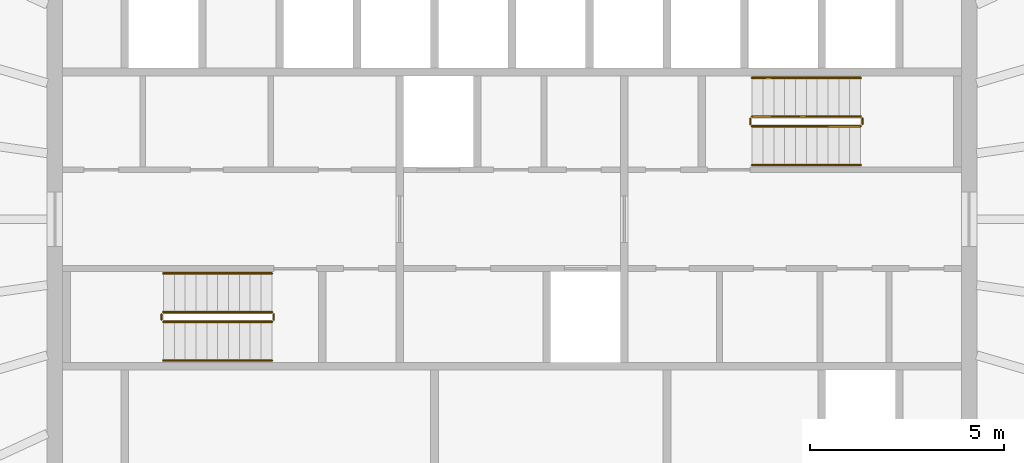
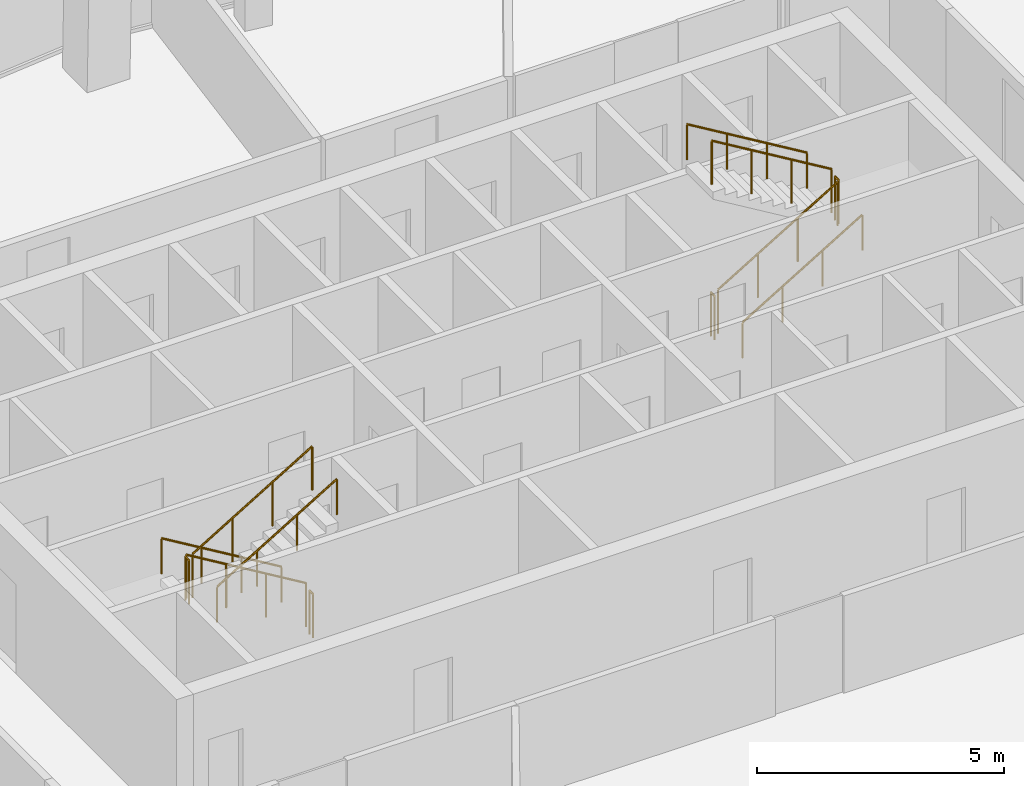
# One storey, part 11 of 11: 12 railings.
"""IFC4 building model written with IfcOpenShell, lengths in metres."""

from ifc_helpers import new_model, si_unit, direction, frame, origin, origin_2d, place, context, subcontext, project, spatial, circle, extrude, material, type_object, element, save


model = new_model("IFC4")

# Units and contexts
model_context = context("Model", 3, precision=1e-05, world=origin(), true_north=direction((0.0, 1.0)))
body_context = subcontext(model_context, "Body", "Model", "MODEL_VIEW")
ifc_project = project(units=[si_unit("LENGTHUNIT", "METRE"), si_unit("AREAUNIT", "SQUARE_METRE"), si_unit("VOLUMEUNIT", "CUBIC_METRE"), si_unit("PLANEANGLEUNIT", "RADIAN"), si_unit("MASSUNIT", "GRAM", prefix="KILO")], contexts=[model_context])

# Site, building, storey
site_placement = place(None, origin())
site = spatial("IfcSite", under=ifc_project, at=site_placement, CompositionType="ELEMENT")
building_placement = place(site_placement, origin())
building = spatial("IfcBuilding", under=site, at=building_placement, Name="Siaravel Broadcast Tower", CompositionType="ELEMENT")
storey_placement = place(building_placement, frame((0.0, 0.0, 220.800048828125)))
storey = spatial("IfcBuildingStorey", under=building, at=storey_placement, Name="L53", CompositionType="ELEMENT", Elevation=220.800048828125)

# Railings
ifc_material = material(Name="Stainless steel 316L", Category="steel")
railing_type_1 = type_object("IfcRailingType", Name="Stair guard 1100", PredefinedType="GUARDRAIL", material=ifc_material)
railing_1_placement = place(storey_placement, frame((-6.199951171875, -2.39990234375, 0.168212890625)))
element("IfcRailing", 1, at=railing_1_placement, inside=storey, type_object=railing_type_1, Name="L53 ST-1 stair guard 1", PredefinedType="GUARDRAIL", context=body_context, shape_type="SweptSolid", body=[
    extrude(circle(Radius=0.02392578125, at=origin_2d()), frame((0.0, 0.0, 1.076171875), z_axis=(-0.857275203, 0.0, 0.514858453), x_axis=(0.0, -1.0, 0.0)), (0.0, 0.0, 1.0), 3.26611328125),
    extrude(circle(Radius=0.02099609375, at=origin_2d()), origin(), (0.0, 0.0, 1.0), 1.052001953125),
    extrude(circle(Radius=0.02099609375, at=origin_2d()), frame((-0.933349609375, 0.0, 0.560546875)), (0.0, 0.0, 1.0), 1.052001953125),
    extrude(circle(Radius=0.02099609375, at=origin_2d()), frame((-1.86669921875, 0.0, 1.12109375)), (0.0, 0.0, 1.0), 1.052001953125),
    extrude(circle(Radius=0.02099609375, at=origin_2d()), frame((-2.800048828125, 0.0, 1.681640625)), (0.0, 0.0, 1.0), 1.052001953125),
])
railing_2_placement = place(storey_placement, frame((-9.050048828125, -2.449951171875, 1.849853515625)))
element("IfcRailing", 2, at=railing_2_placement, inside=storey, type_object=railing_type_1, Name="L53 ST-1 stair guard 2", PredefinedType="GUARDRAIL", context=body_context, shape_type="SweptSolid", body=[
    extrude(circle(Radius=0.02392578125, at=origin_2d()), frame((0.0, 0.0, 1.076171875), z_axis=(0.0, -1.0, 0.0), x_axis=(1.0, 0.0, 0.0)), (0.0, 0.0, 1.0), 0.150146484375),
    extrude(circle(Radius=0.02099609375, at=origin_2d()), origin(), (0.0, 0.0, 1.0), 1.052001953125),
    extrude(circle(Radius=0.02099609375, at=origin_2d()), frame((0.0, -0.150146484375, 0.0)), (0.0, 0.0, 1.0), 1.052001953125),
])
railing_3_placement = place(storey_placement, frame((-9.0, -2.64990234375, 2.01806640625)))
element("IfcRailing", 3, at=railing_3_placement, inside=storey, type_object=railing_type_1, Name="L53 ST-1 stair guard 3", PredefinedType="GUARDRAIL", context=body_context, shape_type="SweptSolid", body=[
    extrude(circle(Radius=0.02392578125, at=origin_2d()), frame((0.0, 0.0, 1.076171875), z_axis=(0.857242211, 0.0, 0.514913383), x_axis=(0.0, 1.0, 0.0)), (0.0, 0.0, 1.0), 3.266357421875),
    extrude(circle(Radius=0.02099609375, at=origin_2d()), origin(), (0.0, 0.0, 1.0), 1.052001953125),
    extrude(circle(Radius=0.02099609375, at=origin_2d()), frame((0.933349609375, 0.0, 0.560546875)), (0.0, 0.0, 1.0), 1.052001953125),
    extrude(circle(Radius=0.02099609375, at=origin_2d()), frame((1.86669921875, 0.0, 1.121337890625)), (0.0, 0.0, 1.0), 1.052001953125),
    extrude(circle(Radius=0.02099609375, at=origin_2d()), frame((2.800048828125, 0.0, 1.681884765625)), (0.0, 0.0, 1.0), 1.052001953125),
])
railing_4_placement = place(storey_placement, frame((-6.14990234375, -2.449951171875, 0.0)))
element("IfcRailing", 4, at=railing_4_placement, inside=storey, type_object=railing_type_1, Name="L53 ST-1 stair guard 4", PredefinedType="GUARDRAIL", context=body_context, shape_type="SweptSolid", body=[
    extrude(circle(Radius=0.02392578125, at=origin_2d()), frame((0.0, 0.0, 1.076171875), z_axis=(0.0, -1.0, 0.0), x_axis=(1.0, 0.0, 0.0)), (0.0, 0.0, 1.0), 0.150146484375),
    extrude(circle(Radius=0.02099609375, at=origin_2d()), origin(), (0.0, 0.0, 1.0), 1.052001953125),
    extrude(circle(Radius=0.02099609375, at=origin_2d()), frame((0.0, -0.150146484375, 0.0)), (0.0, 0.0, 1.0), 1.052001953125),
])
railing_5_placement = place(storey_placement, frame((6.199951171875, 2.39990234375, 0.168212890625)))
element("IfcRailing", 5, at=railing_5_placement, inside=storey, type_object=railing_type_1, Name="L53 ST-2 stair guard 1", PredefinedType="GUARDRAIL", context=body_context, shape_type="SweptSolid", body=[
    extrude(circle(Radius=0.02392578125, at=origin_2d()), frame((0.0, 0.0, 1.076171875), z_axis=(0.857275203, 0.0, 0.514858453), x_axis=(0.0, 1.0, 0.0)), (0.0, 0.0, 1.0), 3.26611328125),
    extrude(circle(Radius=0.02099609375, at=origin_2d()), origin(), (0.0, 0.0, 1.0), 1.052001953125),
    extrude(circle(Radius=0.02099609375, at=origin_2d()), frame((0.933349609375, 0.0, 0.560546875)), (0.0, 0.0, 1.0), 1.052001953125),
    extrude(circle(Radius=0.02099609375, at=origin_2d()), frame((1.86669921875, 0.0, 1.12109375)), (0.0, 0.0, 1.0), 1.052001953125),
    extrude(circle(Radius=0.02099609375, at=origin_2d()), frame((2.800048828125, 0.0, 1.681640625)), (0.0, 0.0, 1.0), 1.052001953125),
])
railing_6_placement = place(storey_placement, frame((9.050048828125, 2.449951171875, 1.849853515625)))
element("IfcRailing", 6, at=railing_6_placement, inside=storey, type_object=railing_type_1, Name="L53 ST-2 stair guard 2", PredefinedType="GUARDRAIL", context=body_context, shape_type="SweptSolid", body=[
    extrude(circle(Radius=0.02392578125, at=origin_2d()), frame((0.0, 0.0, 1.076171875), z_axis=(0.0, 1.0, 0.0), x_axis=(-1.0, 0.0, 0.0)), (0.0, 0.0, 1.0), 0.150146484375),
    extrude(circle(Radius=0.02099609375, at=origin_2d()), origin(), (0.0, 0.0, 1.0), 1.052001953125),
    extrude(circle(Radius=0.02099609375, at=origin_2d()), frame((0.0, 0.150146484375, 0.0)), (0.0, 0.0, 1.0), 1.052001953125),
])
railing_7_placement = place(storey_placement, frame((9.0, 2.64990234375, 2.01806640625)))
element("IfcRailing", 7, at=railing_7_placement, inside=storey, type_object=railing_type_1, Name="L53 ST-2 stair guard 3", PredefinedType="GUARDRAIL", context=body_context, shape_type="SweptSolid", body=[
    extrude(circle(Radius=0.02392578125, at=origin_2d()), frame((0.0, 0.0, 1.076171875), z_axis=(-0.857242211, 0.0, 0.514913383), x_axis=(0.0, -1.0, 0.0)), (0.0, 0.0, 1.0), 3.266357421875),
    extrude(circle(Radius=0.02099609375, at=origin_2d()), origin(), (0.0, 0.0, 1.0), 1.052001953125),
    extrude(circle(Radius=0.02099609375, at=origin_2d()), frame((-0.933349609375, 0.0, 0.560546875)), (0.0, 0.0, 1.0), 1.052001953125),
    extrude(circle(Radius=0.02099609375, at=origin_2d()), frame((-1.86669921875, 0.0, 1.121337890625)), (0.0, 0.0, 1.0), 1.052001953125),
    extrude(circle(Radius=0.02099609375, at=origin_2d()), frame((-2.800048828125, 0.0, 1.681884765625)), (0.0, 0.0, 1.0), 1.052001953125),
])
railing_8_placement = place(storey_placement, frame((6.14990234375, 2.449951171875, 0.0)))
element("IfcRailing", 8, at=railing_8_placement, inside=storey, type_object=railing_type_1, Name="L53 ST-2 stair guard 4", PredefinedType="GUARDRAIL", context=body_context, shape_type="SweptSolid", body=[
    extrude(circle(Radius=0.02392578125, at=origin_2d()), frame((0.0, 0.0, 1.076171875), z_axis=(0.0, 1.0, 0.0), x_axis=(-1.0, 0.0, 0.0)), (0.0, 0.0, 1.0), 0.150146484375),
    extrude(circle(Radius=0.02099609375, at=origin_2d()), origin(), (0.0, 0.0, 1.0), 1.052001953125),
    extrude(circle(Radius=0.02099609375, at=origin_2d()), frame((0.0, 0.150146484375, 0.0)), (0.0, 0.0, 1.0), 1.052001953125),
])
railing_type_2 = type_object("IfcRailingType", Name="Stair handrail 900", PredefinedType="HANDRAIL", material=ifc_material)
railing_9_placement = place(storey_placement, frame((-6.199951171875, -1.39990234375, 0.168212890625)))
element("IfcRailing", 9, at=railing_9_placement, inside=storey, type_object=railing_type_2, Name="L53 ST-1 stair handrail 1", PredefinedType="HANDRAIL", context=body_context, shape_type="SweptSolid", body=[
    extrude(circle(Radius=0.02392578125, at=origin_2d()), frame((0.0, 0.0, 0.8759765625), z_axis=(-0.857275203, 0.0, 0.514858453), x_axis=(0.0, -1.0, 0.0)), (0.0, 0.0, 1.0), 3.26611328125),
    extrude(circle(Radius=0.02099609375, at=origin_2d()), origin(), (0.0, 0.0, 1.0), 0.851806640625),
    extrude(circle(Radius=0.02099609375, at=origin_2d()), frame((-0.933349609375, 0.0, 0.560546875)), (0.0, 0.0, 1.0), 0.851806640625),
    extrude(circle(Radius=0.02099609375, at=origin_2d()), frame((-1.86669921875, 0.0, 1.12109375)), (0.0, 0.0, 1.0), 0.851806640625),
    extrude(circle(Radius=0.02099609375, at=origin_2d()), frame((-2.800048828125, 0.0, 1.681640625)), (0.0, 0.0, 1.0), 0.851806640625),
])
railing_10_placement = place(storey_placement, frame((-9.0, -3.64990234375, 2.01806640625)))
element("IfcRailing", 10, at=railing_10_placement, inside=storey, type_object=railing_type_2, Name="L53 ST-1 stair handrail 2", PredefinedType="HANDRAIL", context=body_context, shape_type="SweptSolid", body=[
    extrude(circle(Radius=0.02392578125, at=origin_2d()), frame((0.0, 0.0, 0.8759765625), z_axis=(0.857242211, 0.0, 0.514913383), x_axis=(0.0, 1.0, 0.0)), (0.0, 0.0, 1.0), 3.266357421875),
    extrude(circle(Radius=0.02099609375, at=origin_2d()), origin(), (0.0, 0.0, 1.0), 0.851806640625),
    extrude(circle(Radius=0.02099609375, at=origin_2d()), frame((0.933349609375, 0.0, 0.560546875)), (0.0, 0.0, 1.0), 0.851806640625),
    extrude(circle(Radius=0.02099609375, at=origin_2d()), frame((1.86669921875, 0.0, 1.121337890625)), (0.0, 0.0, 1.0), 0.851806640625),
    extrude(circle(Radius=0.02099609375, at=origin_2d()), frame((2.800048828125, 0.0, 1.681884765625)), (0.0, 0.0, 1.0), 0.851806640625),
])
railing_11_placement = place(storey_placement, frame((6.199951171875, 1.39990234375, 0.168212890625)))
element("IfcRailing", 11, at=railing_11_placement, inside=storey, type_object=railing_type_2, Name="L53 ST-2 stair handrail 1", PredefinedType="HANDRAIL", context=body_context, shape_type="SweptSolid", body=[
    extrude(circle(Radius=0.02392578125, at=origin_2d()), frame((0.0, 0.0, 0.8759765625), z_axis=(0.857275203, 0.0, 0.514858453), x_axis=(0.0, 1.0, 0.0)), (0.0, 0.0, 1.0), 3.26611328125),
    extrude(circle(Radius=0.02099609375, at=origin_2d()), origin(), (0.0, 0.0, 1.0), 0.851806640625),
    extrude(circle(Radius=0.02099609375, at=origin_2d()), frame((0.933349609375, 0.0, 0.560546875)), (0.0, 0.0, 1.0), 0.851806640625),
    extrude(circle(Radius=0.02099609375, at=origin_2d()), frame((1.86669921875, 0.0, 1.12109375)), (0.0, 0.0, 1.0), 0.851806640625),
    extrude(circle(Radius=0.02099609375, at=origin_2d()), frame((2.800048828125, 0.0, 1.681640625)), (0.0, 0.0, 1.0), 0.851806640625),
])
railing_12_placement = place(storey_placement, frame((9.0, 3.64990234375, 2.01806640625)))
element("IfcRailing", 12, at=railing_12_placement, inside=storey, type_object=railing_type_2, Name="L53 ST-2 stair handrail 2", PredefinedType="HANDRAIL", context=body_context, shape_type="SweptSolid", body=[
    extrude(circle(Radius=0.02392578125, at=origin_2d()), frame((0.0, 0.0, 0.8759765625), z_axis=(-0.857242211, 0.0, 0.514913383), x_axis=(0.0, -1.0, 0.0)), (0.0, 0.0, 1.0), 3.266357421875),
    extrude(circle(Radius=0.02099609375, at=origin_2d()), origin(), (0.0, 0.0, 1.0), 0.851806640625),
    extrude(circle(Radius=0.02099609375, at=origin_2d()), frame((-0.933349609375, 0.0, 0.560546875)), (0.0, 0.0, 1.0), 0.851806640625),
    extrude(circle(Radius=0.02099609375, at=origin_2d()), frame((-1.86669921875, 0.0, 1.121337890625)), (0.0, 0.0, 1.0), 0.851806640625),
    extrude(circle(Radius=0.02099609375, at=origin_2d()), frame((-2.800048828125, 0.0, 1.681884765625)), (0.0, 0.0, 1.0), 0.851806640625),
])

save(model, "model.ifc")
